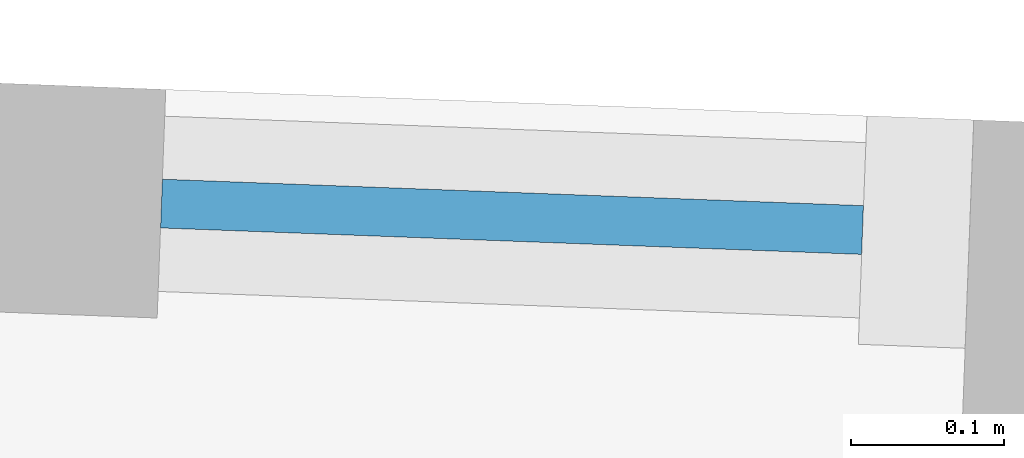
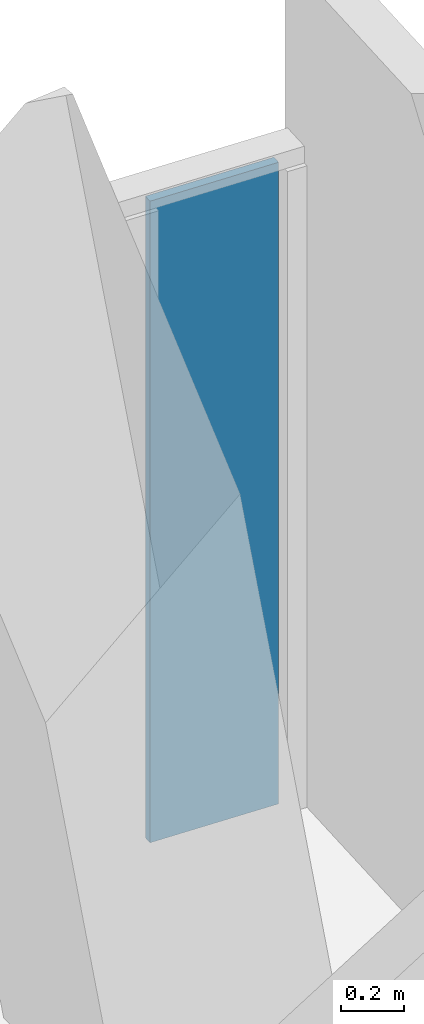
# One storey, part 14 of 23: 1 plate, 1 element without a shape of its own.
"""IFC4 building model written with IfcOpenShell, lengths in metres."""

from ifc_helpers import new_model, si_unit, direction, frame, origin, origin_2d, place, context, subcontext, project, spatial, rectangle, extrude, material, layer, layer_set, type_object, element, aggregate, save


model = new_model("IFC4")

# Units and contexts
model_context = context("Model", 3, precision=1e-05, world=origin(), true_north=direction((0.0, 1.0)))
body_context = subcontext(model_context, "Body", "Model", "MODEL_VIEW")
ifc_project = project(units=[si_unit("LENGTHUNIT", "METRE"), si_unit("AREAUNIT", "SQUARE_METRE"), si_unit("VOLUMEUNIT", "CUBIC_METRE"), si_unit("PLANEANGLEUNIT", "RADIAN"), si_unit("MASSUNIT", "GRAM", prefix="KILO")], contexts=[model_context])

# Site, building, storey
site_placement = place(None, origin())
site = spatial("IfcSite", under=ifc_project, at=site_placement, CompositionType="ELEMENT")
building_placement = place(site_placement, origin())
building = spatial("IfcBuilding", under=site, at=building_placement, Name="Verdalira Terraces Hotel", CompositionType="ELEMENT")
storey_placement = place(building_placement, frame((0.0, 0.0, 147.0)))
storey = spatial("IfcBuildingStorey", under=building, at=storey_placement, Name="L35", CompositionType="ELEMENT", Elevation=147.0)

# Curtain wall, plate
ifc_material_1 = material(Name="Clear glass", Category="glass")
ifc_layer_1 = layer(ifc_material_1, 0.14990234375)
ifc_layer_set_1 = layer_set([ifc_layer_1], Name="CW2 curtain wall")
curtain_wall_type = type_object("IfcCurtainWallType", Name="CW2 curtain wall", PredefinedType="NOTDEFINED", material=ifc_layer_set_1)
curtain_wall_placement = place(storey_placement, origin())
curtain_wall = element("IfcCurtainWall", 1, at=curtain_wall_placement, inside=storey, type_object=curtain_wall_type, Name="CW2 curtain wall L35 edge 38", PredefinedType="NOTDEFINED")
ifc_material_2 = material(Name="Clear glass", Category="glass")
ifc_layer_2 = layer(ifc_material_2, 0.031982421875)
ifc_layer_set_2 = layer_set([ifc_layer_2], Name="CW2 glass unit 32")
plate_type = type_object("IfcPlateType", Name="CW2 glass unit 32", PredefinedType="CURTAIN_PANEL", material=ifc_layer_set_2)
plate_placement = place(storey_placement, frame((29.346924, 5.322754, 0.0), z_axis=(0.0, 0.0, 1.0), x_axis=(-0.999289473, 0.037690183, 0.0)))
plate = element("IfcPlate", 2, at=plate_placement, type_object=plate_type, Name="CW2 glass unit", PredefinedType="CURTAIN_PANEL", context=body_context, shape_type="SweptSolid", body=[
    extrude(rectangle(XDim=0.459961, YDim=0.031982, at=origin_2d()), origin(), (0.0, 0.0, 1.0), 2.475098),
])
aggregate(curtain_wall, [plate])

save(model, "model.ifc")
